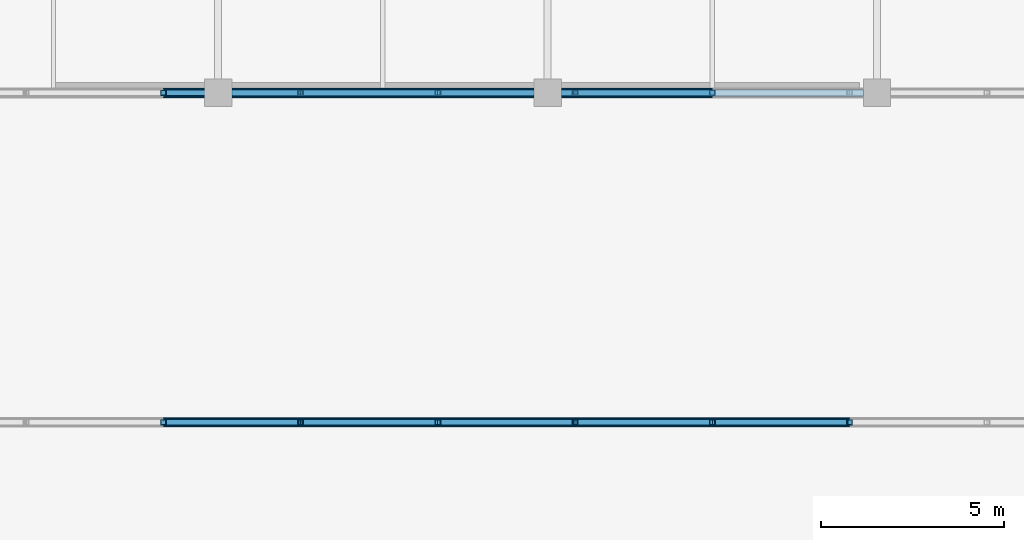
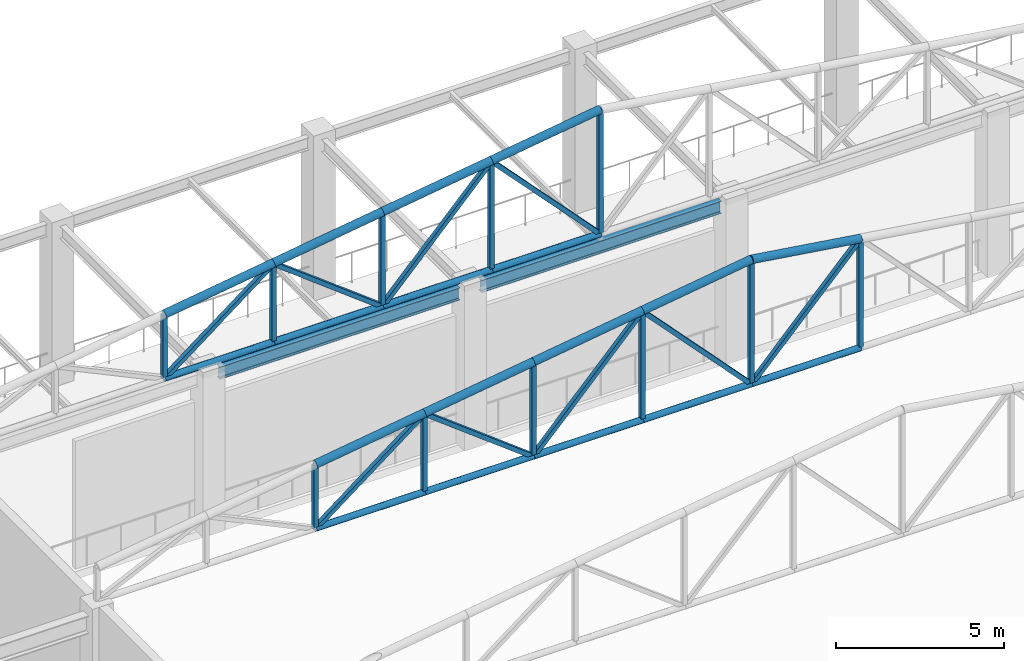
# One storey, part 60 of 223: 38 members, 2 beams.
"""IFC4 building model written with IfcOpenShell, lengths in metres."""

from ifc_helpers import new_model, si_unit, direction, frame, origin, origin_2d, place, context, subcontext, project, spatial, hollow_rectangle, hollow_circle, i_section, extrude, material, material_profile, profile_set, type_object, element, save


model = new_model("IFC4")

# Units and contexts
model_context = context("Model", 3, precision=1e-05, world=origin(), true_north=direction((0.0, 1.0)))
body_context = subcontext(model_context, "Body", "Model", "MODEL_VIEW")
ifc_project = project(units=[si_unit("LENGTHUNIT", "METRE"), si_unit("AREAUNIT", "SQUARE_METRE"), si_unit("VOLUMEUNIT", "CUBIC_METRE"), si_unit("PLANEANGLEUNIT", "RADIAN"), si_unit("MASSUNIT", "GRAM", prefix="KILO")], contexts=[model_context])

# Site, building, storey
site_placement = place(None, origin())
site = spatial("IfcSite", under=ifc_project, at=site_placement, CompositionType="ELEMENT")
building_placement = place(site_placement, origin())
building = spatial("IfcBuilding", under=site, at=building_placement, Name="Dornveld Trade and Exhibition Forum", CompositionType="ELEMENT")
storey_placement = place(building_placement, frame((0.0, 0.0, 6.0)))
storey = spatial("IfcBuildingStorey", under=building, at=storey_placement, Name="L01", CompositionType="ELEMENT", Elevation=6.0)

# Beams
ifc_material_1 = material(Name="Steel S355J2", Category="steel")
ifc_material_profile_1 = material_profile(ifc_material_1, i_section(OverallWidth=0.18994140625, OverallDepth=0.449951171875, WebThickness=0.009521484375, FlangeThickness=0.0146484375, FilletRadius=0.02099609375, at=origin_2d()), Name="IPE 450")
ifc_profile_set_1 = profile_set([ifc_material_profile_1], Name="Steel S355J2")
beam_type = type_object("IfcBeamType", Name="BM-SEC-450", PredefinedType="BEAM", material=ifc_profile_set_1)
for number, where, z_axis, x_axis, name in (
    (1, (162.37109375, 45.0, 5.554931640625), (1.0, 0.0, 0.0), (0.0, 1.0, 0.0), "L01 X-girder 1737"),
    (2, (171.37109375, 45.0, 5.554931640625), (1.0, 0.0, 0.0), (0.0, 1.0, 0.0), "L01 X-girder 1738"),
):
    element("IfcBeam", number, at=place(storey_placement, frame(where, z_axis=z_axis, x_axis=x_axis)), inside=storey, type_object=beam_type, Name=name, PredefinedType="BEAM", context=body_context, shape_type="SweptSolid", body=[
        extrude(i_section(OverallWidth=0.18994140625, OverallDepth=0.449951171875, WebThickness=0.009521484375, FlangeThickness=0.0146484375, FilletRadius=0.02099609375, at=origin_2d()), origin(), (0.0, 0.0, 1.0), 8.2578125),
    ])

# Members
ifc_material_2 = material(Name="Steel S355J2", Category="steel")
ifc_material_profile_2 = material_profile(ifc_material_2, hollow_rectangle(XDim=0.14990234375, YDim=0.14990234375, WallThickness=0.008056640625, at=origin_2d()), Name="SHS 150x150x8")
ifc_profile_set_2 = profile_set([ifc_material_profile_2], Name="Steel S355J2")
member_type_1 = type_object("IfcMemberType", Name="MEM-ARCH-STR", PredefinedType="STRUT", material=ifc_profile_set_2)
member_1_placement = place(storey_placement, frame((160.5, 36.0, 5.97998046875), z_axis=(0.0, 0.0, 1.0), x_axis=(1.0, 0.0, 0.0)))
element("IfcMember", 3, at=member_1_placement, inside=storey, type_object=member_type_1, Name="Congress roof truss 5 post 3", PredefinedType="STRUT", context=body_context, shape_type="SweptSolid", body=[
    extrude(hollow_rectangle(XDim=0.14990234375, YDim=0.14990234375, WallThickness=0.008056640625, at=origin_2d()), origin(), (0.0, 0.0, 1.0), 2.320068359375),
])
member_2_placement = place(storey_placement, frame((164.25, 36.0, 5.97998046875), z_axis=(0.0, 0.0, 1.0), x_axis=(1.0, 0.0, 0.0)))
element("IfcMember", 4, at=member_2_placement, inside=storey, type_object=member_type_1, Name="Congress roof truss 5 post 4", PredefinedType="STRUT", context=body_context, shape_type="SweptSolid", body=[
    extrude(hollow_rectangle(XDim=0.14990234375, YDim=0.14990234375, WallThickness=0.008056640625, at=origin_2d()), origin(), (0.0, 0.0, 1.0), 2.8701171875),
])
member_3_placement = place(storey_placement, frame((168.0, 36.0, 5.97998046875), z_axis=(0.0, 0.0, 1.0), x_axis=(1.0, 0.0, 0.0)))
element("IfcMember", 5, at=member_3_placement, inside=storey, type_object=member_type_1, Name="Congress roof truss 5 post 5", PredefinedType="STRUT", context=body_context, shape_type="SweptSolid", body=[
    extrude(hollow_rectangle(XDim=0.14990234375, YDim=0.14990234375, WallThickness=0.008056640625, at=origin_2d()), origin(), (0.0, 0.0, 1.0), 3.419921875),
])
member_4_placement = place(storey_placement, frame((171.75, 36.0, 5.97998046875), z_axis=(0.0, 0.0, 1.0), x_axis=(1.0, 0.0, 0.0)))
element("IfcMember", 6, at=member_4_placement, inside=storey, type_object=member_type_1, Name="Congress roof truss 5 post 6", PredefinedType="STRUT", context=body_context, shape_type="SweptSolid", body=[
    extrude(hollow_rectangle(XDim=0.14990234375, YDim=0.14990234375, WallThickness=0.008056640625, at=origin_2d()), origin(), (0.0, 0.0, 1.0), 3.969970703125),
])
member_5_placement = place(storey_placement, frame((175.5, 36.0, 5.97998046875), z_axis=(0.0, 0.0, 1.0), x_axis=(1.0, 0.0, 0.0)))
element("IfcMember", 7, at=member_5_placement, inside=storey, type_object=member_type_1, Name="Congress roof truss 5 post 7", PredefinedType="STRUT", context=body_context, shape_type="SweptSolid", body=[
    extrude(hollow_rectangle(XDim=0.14990234375, YDim=0.14990234375, WallThickness=0.008056640625, at=origin_2d()), origin(), (0.0, 0.0, 1.0), 4.52001953125),
])
member_6_placement = place(storey_placement, frame((179.25, 36.0, 5.97998046875), z_axis=(0.0, 0.0, 1.0), x_axis=(1.0, 0.0, 0.0)))
element("IfcMember", 8, at=member_6_placement, inside=storey, type_object=member_type_1, Name="Congress roof truss 5 post 8", PredefinedType="STRUT", context=body_context, shape_type="SweptSolid", body=[
    extrude(hollow_rectangle(XDim=0.14990234375, YDim=0.14990234375, WallThickness=0.008056640625, at=origin_2d()), origin(), (0.0, 0.0, 1.0), 3.969970703125),
])
member_7_placement = place(storey_placement, frame((160.5, 45.0, 5.97998046875), z_axis=(0.0, 0.0, 1.0), x_axis=(1.0, 0.0, 0.0)))
element("IfcMember", 9, at=member_7_placement, inside=storey, type_object=member_type_1, Name="Congress roof truss 6 post 3", PredefinedType="STRUT", context=body_context, shape_type="SweptSolid", body=[
    extrude(hollow_rectangle(XDim=0.14990234375, YDim=0.14990234375, WallThickness=0.008056640625, at=origin_2d()), origin(), (0.0, 0.0, 1.0), 2.320068359375),
])
member_8_placement = place(storey_placement, frame((164.25, 45.0, 5.97998046875), z_axis=(0.0, 0.0, 1.0), x_axis=(1.0, 0.0, 0.0)))
element("IfcMember", 10, at=member_8_placement, inside=storey, type_object=member_type_1, Name="Congress roof truss 6 post 4", PredefinedType="STRUT", context=body_context, shape_type="SweptSolid", body=[
    extrude(hollow_rectangle(XDim=0.14990234375, YDim=0.14990234375, WallThickness=0.008056640625, at=origin_2d()), origin(), (0.0, 0.0, 1.0), 2.8701171875),
])
member_9_placement = place(storey_placement, frame((168.0, 45.0, 5.97998046875), z_axis=(0.0, 0.0, 1.0), x_axis=(1.0, 0.0, 0.0)))
element("IfcMember", 11, at=member_9_placement, inside=storey, type_object=member_type_1, Name="Congress roof truss 6 post 5", PredefinedType="STRUT", context=body_context, shape_type="SweptSolid", body=[
    extrude(hollow_rectangle(XDim=0.14990234375, YDim=0.14990234375, WallThickness=0.008056640625, at=origin_2d()), origin(), (0.0, 0.0, 1.0), 3.419921875),
])
member_10_placement = place(storey_placement, frame((171.75, 45.0, 5.97998046875), z_axis=(0.0, 0.0, 1.0), x_axis=(1.0, 0.0, 0.0)))
element("IfcMember", 12, at=member_10_placement, inside=storey, type_object=member_type_1, Name="Congress roof truss 6 post 6", PredefinedType="STRUT", context=body_context, shape_type="SweptSolid", body=[
    extrude(hollow_rectangle(XDim=0.14990234375, YDim=0.14990234375, WallThickness=0.008056640625, at=origin_2d()), origin(), (0.0, 0.0, 1.0), 3.969970703125),
])
member_11_placement = place(storey_placement, frame((175.5, 45.0, 5.97998046875), z_axis=(0.0, 0.0, 1.0), x_axis=(1.0, 0.0, 0.0)))
element("IfcMember", 13, at=member_11_placement, inside=storey, type_object=member_type_1, Name="Congress roof truss 6 post 7", PredefinedType="STRUT", context=body_context, shape_type="SweptSolid", body=[
    extrude(hollow_rectangle(XDim=0.14990234375, YDim=0.14990234375, WallThickness=0.008056640625, at=origin_2d()), origin(), (0.0, 0.0, 1.0), 4.52001953125),
])
ifc_material_3 = material(Name="Steel S355J2", Category="steel")
ifc_material_profile_3 = material_profile(ifc_material_3, hollow_circle(Radius=0.109619140625, WallThickness=0.010009765625, at=origin_2d()), Name="CHS 219.1x10")
ifc_profile_set_3 = profile_set([ifc_material_profile_3], Name="Steel S355J2")
member_type_2 = type_object("IfcMemberType", Name="MEM-CONG-BC", PredefinedType="CHORD", material=ifc_profile_set_3)
for number, where, z_axis, x_axis, name in (
    (14, (160.5, 36.0, 5.97998046875), (1.0, 0.0, 0.0), (0.0, 1.0, 0.0), "Congress roof truss 5 bottom chord 3"),
    (15, (164.25, 36.0, 5.97998046875), (1.0, 0.0, 0.0), (0.0, 1.0, 0.0), "Congress roof truss 5 bottom chord 4"),
    (16, (168.0, 36.0, 5.97998046875), (1.0, 0.0, 0.0), (0.0, 1.0, 0.0), "Congress roof truss 5 bottom chord 5"),
    (17, (171.75, 36.0, 5.97998046875), (1.0, 0.0, 0.0), (0.0, 1.0, 0.0), "Congress roof truss 5 bottom chord 6"),
    (18, (175.5, 36.0, 5.97998046875), (1.0, 0.0, 0.0), (0.0, 1.0, 0.0), "Congress roof truss 5 bottom chord 7"),
    (19, (160.5, 45.0, 5.97998046875), (1.0, 0.0, 0.0), (0.0, 1.0, 0.0), "Congress roof truss 6 bottom chord 3"),
    (20, (164.25, 45.0, 5.97998046875), (1.0, 0.0, 0.0), (0.0, 1.0, 0.0), "Congress roof truss 6 bottom chord 4"),
    (21, (168.0, 45.0, 5.97998046875), (1.0, 0.0, 0.0), (0.0, 1.0, 0.0), "Congress roof truss 6 bottom chord 5"),
    (22, (171.75, 45.0, 5.97998046875), (1.0, 0.0, 0.0), (0.0, 1.0, 0.0), "Congress roof truss 6 bottom chord 6"),
):
    element("IfcMember", number, at=place(storey_placement, frame(where, z_axis=z_axis, x_axis=x_axis)), inside=storey, type_object=member_type_2, Name=name, PredefinedType="CHORD", context=body_context, shape_type="SweptSolid", body=[
        extrude(hollow_circle(Radius=0.109619140625, WallThickness=0.010009765625, at=origin_2d()), origin(), (0.0, 0.0, 1.0), 3.75),
    ])
ifc_material_4 = material(Name="Steel S355J2", Category="steel")
ifc_material_profile_4 = material_profile(ifc_material_4, hollow_circle(Radius=0.136474609375, WallThickness=0.012451171875, at=origin_2d()), Name="CHS 273x12.5")
ifc_profile_set_4 = profile_set([ifc_material_profile_4], Name="Steel S355J2")
member_type_3 = type_object("IfcMemberType", Name="MEM-CONG-TC", PredefinedType="CHORD", material=ifc_profile_set_4)
for number, where, z_axis, x_axis, name in (
    (23, (160.5, 36.0, 8.300048828125), (0.989413064489, 0.0, 0.145126799108), (0.0, 1.0, 0.0), "Congress roof truss 5 top chord 3"),
    (24, (164.25, 36.0, 8.85009765625), (0.989422311926, 0.0, 0.145063740004), (0.0, 1.0, 0.0), "Congress roof truss 5 top chord 4"),
    (25, (168.0, 36.0, 9.39990234375), (0.989413064489, 0.0, 0.145126799108), (0.0, 1.0, 0.0), "Congress roof truss 5 top chord 5"),
    (26, (171.75, 36.0, 9.949951171875), (0.989413064489, 0.0, 0.145126799108), (0.0, 1.0, 0.0), "Congress roof truss 5 top chord 6"),
    (27, (175.5, 36.0, 10.5), (0.989413064489, 0.0, -0.145126799108), (0.0, 1.0, 0.0), "Congress roof truss 5 top chord 7"),
    (28, (160.5, 45.0, 8.300048828125), (0.989413064489, 0.0, 0.145126799108), (0.0, 1.0, 0.0), "Congress roof truss 6 top chord 3"),
    (29, (164.25, 45.0, 8.85009765625), (0.989422311926, 0.0, 0.145063740004), (0.0, 1.0, 0.0), "Congress roof truss 6 top chord 4"),
    (30, (168.0, 45.0, 9.39990234375), (0.989413064489, 0.0, 0.145126799108), (0.0, 1.0, 0.0), "Congress roof truss 6 top chord 5"),
    (31, (171.75, 45.0, 9.949951171875), (0.989413064489, 0.0, 0.145126799108), (0.0, 1.0, 0.0), "Congress roof truss 6 top chord 6"),
):
    element("IfcMember", number, at=place(storey_placement, frame(where, z_axis=z_axis, x_axis=x_axis)), inside=storey, type_object=member_type_3, Name=name, PredefinedType="CHORD", context=body_context, shape_type="SweptSolid", body=[
        extrude(hollow_circle(Radius=0.136474609375, WallThickness=0.012451171875, at=origin_2d()), origin(), (0.0, 0.0, 1.0), 3.7900390625),
    ])
ifc_material_5 = material(Name="Steel S355J2", Category="steel")
ifc_material_profile_5 = material_profile(ifc_material_5, hollow_rectangle(XDim=0.14990234375, YDim=0.14990234375, WallThickness=0.008056640625, at=origin_2d()), Name="SHS 150x150x8")
ifc_profile_set_5 = profile_set([ifc_material_profile_5], Name="Steel S355J2")
member_type_4 = type_object("IfcMemberType", Name="MEM-CONG-WEB", PredefinedType="BRACE", material=ifc_profile_set_5)
for number, where, z_axis, x_axis, name in (
    (32, (160.5, 36.0, 5.97998046875), (0.794105362147, 0.0, 0.607780119623), (0.0, 1.0, 0.0), "Congress roof truss 5 web 3"),
    (33, (168.0, 36.0, 5.97998046875), (-0.794105362147, 0.0, 0.607780119623), (0.0, -1.0, 0.0), "Congress roof truss 5 web 4"),
):
    element("IfcMember", number, at=place(storey_placement, frame(where, z_axis=z_axis, x_axis=x_axis)), inside=storey, type_object=member_type_4, Name=name, PredefinedType="BRACE", context=body_context, shape_type="SweptSolid", body=[
        extrude(hollow_rectangle(XDim=0.14990234375, YDim=0.14990234375, WallThickness=0.008056640625, at=origin_2d()), origin(), (0.0, 0.0, 1.0), 4.722412109375),
    ])
for number, where, z_axis, x_axis, name in (
    (34, (168.0, 36.0, 5.97998046875), (0.686679978257, 0.0, 0.72695983896), (0.0, 1.0, 0.0), "Congress roof truss 5 web 5"),
    (35, (175.5, 36.0, 5.97998046875), (-0.686679978257, 0.0, 0.72695983896), (0.0, -1.0, 0.0), "Congress roof truss 5 web 6"),
    (36, (175.5, 36.0, 5.97998046875), (0.686679978257, 0.0, 0.72695983896), (0.0, 1.0, 0.0), "Congress roof truss 5 web 7"),
):
    element("IfcMember", number, at=place(storey_placement, frame(where, z_axis=z_axis, x_axis=x_axis)), inside=storey, type_object=member_type_4, Name=name, PredefinedType="BRACE", context=body_context, shape_type="SweptSolid", body=[
        extrude(hollow_rectangle(XDim=0.14990234375, YDim=0.14990234375, WallThickness=0.008056640625, at=origin_2d()), origin(), (0.0, 0.0, 1.0), 5.4609375),
    ])
for number, where, z_axis, x_axis, name in (
    (37, (160.5, 45.0, 5.97998046875), (0.794105362147, 0.0, 0.607780119623), (0.0, 1.0, 0.0), "Congress roof truss 6 web 3"),
    (38, (168.0, 45.0, 5.97998046875), (-0.794105362147, 0.0, 0.607780119623), (0.0, -1.0, 0.0), "Congress roof truss 6 web 4"),
):
    element("IfcMember", number, at=place(storey_placement, frame(where, z_axis=z_axis, x_axis=x_axis)), inside=storey, type_object=member_type_4, Name=name, PredefinedType="BRACE", context=body_context, shape_type="SweptSolid", body=[
        extrude(hollow_rectangle(XDim=0.14990234375, YDim=0.14990234375, WallThickness=0.008056640625, at=origin_2d()), origin(), (0.0, 0.0, 1.0), 4.722412109375),
    ])
for number, where, z_axis, x_axis, name in (
    (39, (168.0, 45.0, 5.97998046875), (0.686679978257, 0.0, 0.72695983896), (0.0, 1.0, 0.0), "Congress roof truss 6 web 5"),
    (40, (175.5, 45.0, 5.97998046875), (-0.686679978257, 0.0, 0.72695983896), (0.0, -1.0, 0.0), "Congress roof truss 6 web 6"),
):
    element("IfcMember", number, at=place(storey_placement, frame(where, z_axis=z_axis, x_axis=x_axis)), inside=storey, type_object=member_type_4, Name=name, PredefinedType="BRACE", context=body_context, shape_type="SweptSolid", body=[
        extrude(hollow_rectangle(XDim=0.14990234375, YDim=0.14990234375, WallThickness=0.008056640625, at=origin_2d()), origin(), (0.0, 0.0, 1.0), 5.4609375),
    ])

save(model, "model.ifc")
